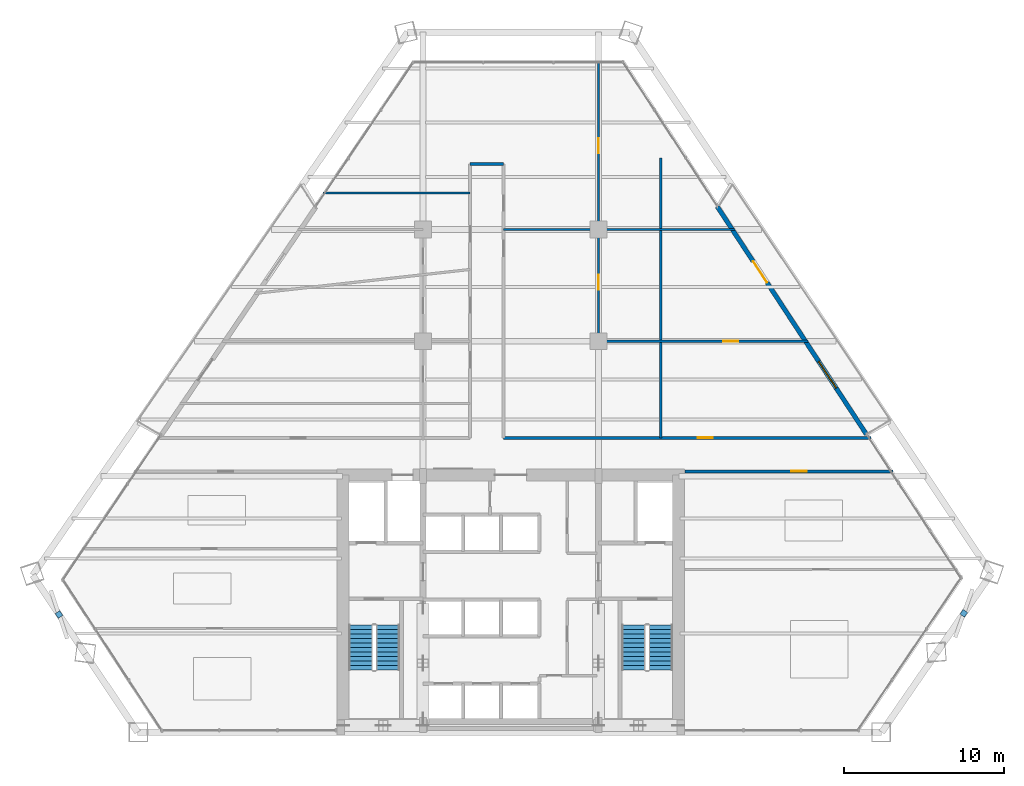
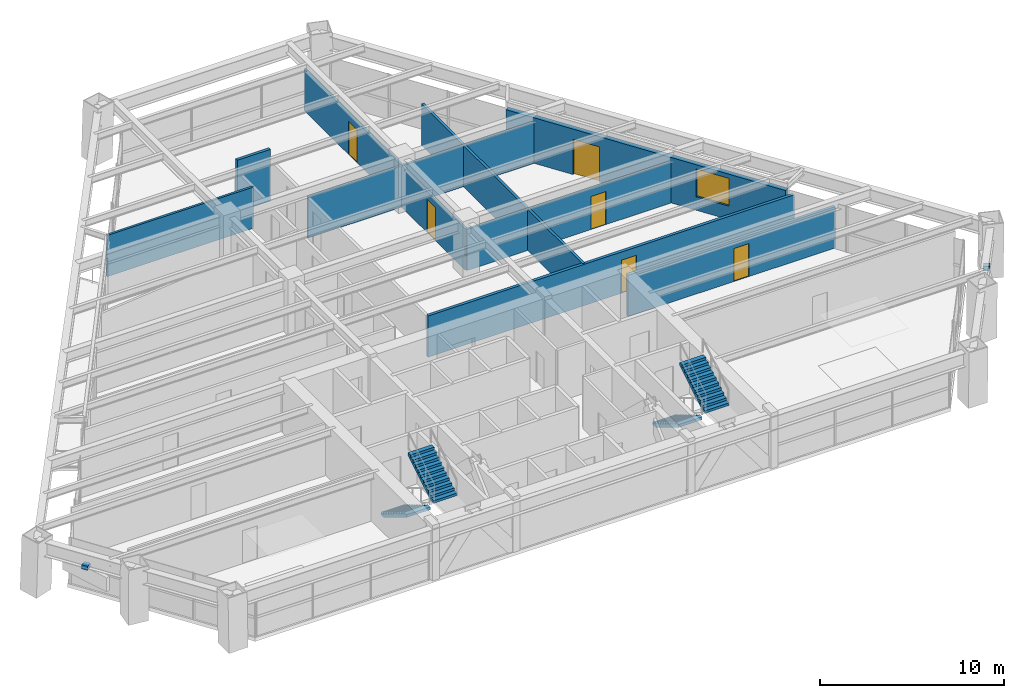
# One storey, part 12 of 14: 9 walls, 6 doors, 4 stair flights, 2 discrete accessories, 1 window, 7 openings, 2 elements without a shape of their own.
"""IFC4 building model written with IfcOpenShell, lengths in metres."""

from ifc_helpers import new_model, si_unit, direction, frame, frame_2d, origin, origin_2d, place, context, subcontext, project, spatial, polyline, rectangle, outline, extrude, source, transform, mapped, material, layer, layer_set, type_object, type_shapes, element, fill, aggregate, save


model = new_model("IFC4")

# Units and contexts
model_context = context("Model", 3, precision=1e-05, world=origin(), true_north=direction((0.0, 1.0)))
body_context = subcontext(model_context, "Body", "Model", "MODEL_VIEW")
ifc_project = project(units=[si_unit("LENGTHUNIT", "METRE"), si_unit("AREAUNIT", "SQUARE_METRE"), si_unit("VOLUMEUNIT", "CUBIC_METRE"), si_unit("PLANEANGLEUNIT", "RADIAN"), si_unit("MASSUNIT", "GRAM", prefix="KILO")], contexts=[model_context])

# Site, building, storey
site_placement = place(None, origin())
site = spatial("IfcSite", under=ifc_project, at=site_placement, CompositionType="ELEMENT")
building_placement = place(site_placement, origin())
building = spatial("IfcBuilding", under=site, at=building_placement, Name="Varnakhor Terracotta Tower", CompositionType="ELEMENT")
storey_placement = place(building_placement, frame((0.0, 0.0, 76.60009765625)))
storey = spatial("IfcBuildingStorey", under=building, at=storey_placement, Name="L18", CompositionType="ELEMENT", Elevation=76.60009765625)

# Wall, opening, door
ifc_material_1 = material(Name="Fire-Rated Gypsum Stud Partition", Category="gypsum")
ifc_layer_1 = layer(ifc_material_1, 0.18505859375, Name="Fire-Rated Gypsum Stud Partition")
ifc_layer_set_1 = layer_set([ifc_layer_1], Name="Fire-Rated Gypsum Stud Partition")
wall_type_1 = type_object("IfcWallType", Name="WAL-CORR-185", PredefinedType="PARTITIONING", material=ifc_layer_set_1)
wall_1_placement = place(storey_placement, frame((10.919921875, 16.35009765625, 0.0), z_axis=(0.0, 0.0, 1.0), x_axis=(1.0, 0.0, 0.0)))
wall_1 = element("IfcWall", 1, at=wall_1_placement, inside=storey, type_object=wall_type_1, Name="L18 South East Corridor Wall", PredefinedType="PARTITIONING", context=body_context, shape_type="SweptSolid", body=[
    extrude(rectangle(XDim=13.044921875, YDim=0.18505859375, at=frame_2d((6.5224609375, 0.0))), origin(), (0.0, 0.0, 1.0), 2.746826171875),
])
opening_1_placement = place(wall_1_placement, frame((6.665771484375, 0.0, 0.0)))
opening_1 = element("IfcOpeningElement", 2, at=opening_1_placement, cuts=wall_1, Name="Opening DR-94", PredefinedType="OPENING", context=body_context, shape_type="SweptSolid", body=[
    extrude(rectangle(XDim=0.949951171875, YDim=2.199951171875, at=frame_2d((0.47509765625, 1.10009765625))), frame((0.0, 0.1025390625, 0.0), z_axis=(0.0, -1.0, 0.0), x_axis=(1.0, 0.0, 0.0)), (0.0, 0.0, 1.0), 0.205078125),
])
ifc_material_2 = material(Name="Acoustic Glazed-Vision Timber Office Door", Category="wood")
door_type_1 = type_object("IfcDoorType", Name="DR-OFF-950X2200", OperationType="NOTDEFINED", PredefinedType="DOOR", material=ifc_material_2)
shared_shape_1 = source(origin(), body_context, "Body", "SweptSolid", [
    extrude(rectangle(XDim=0.949951171875, YDim=2.199951171875, at=frame_2d((0.47509765625, 1.10009765625))), frame((0.0, 0.02490234375, 0.0), z_axis=(0.0, -1.0, 0.0), x_axis=(1.0, 0.0, 0.0)), (0.0, 0.0, 1.0), 0.050048828125),
])
type_shapes(door_type_1, [shared_shape_1])
door_1_placement = place(opening_1_placement, origin())
door_1 = element("IfcDoor", 3, at=door_1_placement, inside=storey, type_object=door_type_1, Name="L18 SE Suite Door", OperationType="SINGLE_SWING_RIGHT", OverallHeight=2.199951171875, OverallWidth=0.949951171875, PredefinedType="DOOR", context=body_context, shape_type="MappedRepresentation", body=[
    mapped(shared_shape_1, transform((0.0, 0.0, 0.0), scale=1.0)),
])
fill(opening_1, door_1)

wall_2_placement = place(storey_placement, frame((-0.449951171875, 18.449951171875, 0.0), z_axis=(0.0, 0.0, 1.0), x_axis=(1.0, 0.0, 0.0)))
wall_2 = element("IfcWall", 4, at=wall_2_placement, inside=storey, type_object=wall_type_1, Name="L18 Corridor North East Wall", PredefinedType="PARTITIONING", context=body_context, shape_type="SweptSolid", body=[
    extrude(rectangle(XDim=23.03955078125, YDim=0.18505859375, at=frame_2d((11.519775390625, 0.0))), origin(), (0.0, 0.0, 1.0), 2.746826171875),
])
opening_2_placement = place(wall_2_placement, frame((12.162841796875, 0.0, 0.0)))
opening_2 = element("IfcOpeningElement", 5, at=opening_2_placement, cuts=wall_2, Name="Opening DR-94", PredefinedType="OPENING", context=body_context, shape_type="SweptSolid", body=[
    extrude(rectangle(XDim=0.949951171875, YDim=2.199951171875, at=frame_2d((0.47509765625, 1.10009765625))), frame((0.0, 0.1025390625, 0.0), z_axis=(0.0, -1.0, 0.0), x_axis=(1.0, 0.0, 0.0)), (0.0, 0.0, 1.0), 0.205078125),
])
door_2_placement = place(opening_2_placement, origin())
door_2 = element("IfcDoor", 6, at=door_2_placement, inside=storey, type_object=door_type_1, Name="L18 East Workplace Door", OperationType="SINGLE_SWING_RIGHT", OverallHeight=2.199951171875, OverallWidth=0.949951171875, PredefinedType="DOOR", context=body_context, shape_type="MappedRepresentation", body=[
    mapped(shared_shape_1, transform((0.0, 0.0, 0.0), scale=1.0)),
])
fill(opening_2, door_2)

# Wall
wall_3_placement = place(storey_placement, frame((-2.550048828125, 35.60009765625, 0.0), z_axis=(0.0, 0.0, 1.0), x_axis=(1.0, 0.0, 0.0)))
element("IfcWall", 7, at=wall_3_placement, inside=storey, type_object=wall_type_1, Name="L18 Spine North End Wall", PredefinedType="PARTITIONING", context=body_context, shape_type="SweptSolid", body=[
    extrude(rectangle(XDim=2.10009765625, YDim=0.18505859375, at=frame_2d((1.050048828125, 0.0))), origin(), (0.0, 0.0, 1.0), 3.44189453125),
])

# Wall, openings, door, window
ifc_material_3 = material(Name="Extruded Architectural Terracotta Assembly", Category="masonry")
ifc_layer_2 = layer(ifc_material_3, 0.280029296875, Name="Extruded Architectural Terracotta Assembly")
ifc_layer_set_2 = layer_set([ifc_layer_2], Name="Extruded Architectural Terracotta Assembly")
wall_type_2 = type_object("IfcWallType", Name="WAL-EXT-TERRACOTTA-280", PredefinedType="SOLIDWALL", material=ifc_layer_set_2)
wall_4_placement = place(storey_placement, frame((12.942626953125, 32.943359375, 0.0), z_axis=(0.0, 0.0, 1.0), x_axis=(0.547860918782, -0.836569431471, 0.0)))
wall_4 = element("IfcWall", 8, at=wall_4_placement, inside=storey, type_object=wall_type_2, Name="L18 E Loggia Insulated Terracotta Wall", PredefinedType="SOLIDWALL", context=body_context, shape_type="SweptSolid", body=[
    extrude(rectangle(XDim=17.065673828125, YDim=0.280029296875, at=frame_2d((8.53271484375, 0.0))), origin(), (0.0, 0.0, 1.0), 3.02978515625),
])
opening_3_placement = place(wall_4_placement, frame((4.095703125, 0.0, 0.0)))
opening_3 = element("IfcOpeningElement", 9, at=opening_3_placement, cuts=wall_4, Name="Opening DR-62", PredefinedType="OPENING", context=body_context, shape_type="SweptSolid", body=[
    extrude(rectangle(XDim=1.60009765625, YDim=2.35009765625, at=frame_2d((0.800048828125, 1.175048828125))), frame((0.0, 0.14990234375, 0.0), z_axis=(0.0, -1.0, 0.0), x_axis=(1.0, 0.0, 0.0)), (0.0, 0.0, 1.0), 0.300048828125),
])
opening_4_placement = place(wall_4_placement, frame((11.6044921875, 0.0, 0.89990234375)))
opening_4 = element("IfcOpeningElement", 10, at=opening_4_placement, cuts=wall_4, Name="Opening WN-26", PredefinedType="OPENING", context=body_context, shape_type="SweptSolid", body=[
    extrude(rectangle(XDim=2.0, YDim=1.85009765625, at=frame_2d((1.0, 0.925048828125))), frame((0.0, 0.14990234375, 0.0), z_axis=(0.0, -1.0, 0.0), x_axis=(1.0, 0.0, 0.0)), (0.0, 0.0, 1.0), 0.300048828125),
])
ifc_material_4 = material(Name="Thermally Broken Sliding Glass Loggia Door", Category="glass")
door_type_2 = type_object("IfcDoorType", Name="DR-EXT-LOGGIA-1600X2350", OperationType="NOTDEFINED", PredefinedType="DOOR", material=ifc_material_4)
shared_shape_2 = source(origin(), body_context, "Body", "SweptSolid", [
    extrude(rectangle(XDim=1.60009765625, YDim=2.35009765625, at=frame_2d((0.800048828125, 1.175048828125))), frame((0.0, 0.02490234375, 0.0), z_axis=(0.0, -1.0, 0.0), x_axis=(1.0, 0.0, 0.0)), (0.0, 0.0, 1.0), 0.050048828125),
])
type_shapes(door_type_2, [shared_shape_2])
door_3_placement = place(opening_3_placement, origin())
door_3 = element("IfcDoor", 11, at=door_3_placement, inside=storey, type_object=door_type_2, Name="L18 E Recessed Loggia Sliding Door", OperationType="SLIDING_TO_RIGHT", OverallHeight=2.35009765625, OverallWidth=1.60009765625, PredefinedType="DOOR", context=body_context, shape_type="MappedRepresentation", body=[
    mapped(shared_shape_2, transform((0.0, 0.0, 0.0), scale=1.0)),
])
fill(opening_3, door_3)
ifc_material_5 = material(Name="Solar-Control Low-E Insulated Glass Unit", Category="glass")
window_type = type_object("IfcWindowType", Name="WIN-OFF-2200X2100", PartitioningType="SINGLE_PANEL", PredefinedType="WINDOW", material=ifc_material_5)
shared_shape_3 = source(origin(), body_context, "Body", "SweptSolid", [
    extrude(rectangle(XDim=2.0, YDim=1.85009765625, at=frame_2d((1.0, 0.925048828125))), frame((0.0, 0.030029296875, 0.0), z_axis=(0.0, -1.0, 0.0), x_axis=(1.0, 0.0, 0.0)), (0.0, 0.0, 1.0), 0.06005859375),
])
type_shapes(window_type, [shared_shape_3])
window_placement = place(opening_4_placement, origin())
window = element("IfcWindow", 12, at=window_placement, inside=storey, type_object=window_type, Name="L18 E Facet Punched Window", OverallHeight=1.85009765625, OverallWidth=2.0, PartitioningType="SINGLE_PANEL", PredefinedType="WINDOW", context=body_context, shape_type="MappedRepresentation", body=[
    mapped(shared_shape_3, transform((0.0, 0.0, 0.0), scale=1.0)),
])
fill(opening_4, window)

# Wall, openings, doors
ifc_material_6 = material(Name="Acoustic Metal-Stud Partition", Category="gypsum")
ifc_layer_3 = layer(ifc_material_6, 0.139892578125, Name="Acoustic Metal-Stud Partition")
ifc_layer_set_3 = layer_set([ifc_layer_3], Name="Acoustic Metal-Stud Partition")
wall_type_3 = type_object("IfcWallType", Name="WAL-PART-140", PredefinedType="PARTITIONING", material=ifc_layer_set_3)
wall_5_placement = place(storey_placement, frame((5.5, 24.5, 0.0), z_axis=(0.0, 0.0, 1.0), x_axis=(0.0, 1.0, 0.0)))
wall_5 = element("IfcWall", 13, at=wall_5_placement, inside=storey, type_object=wall_type_3, Name="L18 East Column Line Wall", PredefinedType="PARTITIONING", context=body_context, shape_type="SweptSolid", body=[
    extrude(rectangle(XDim=17.59521484375, YDim=0.139892578125, at=frame_2d((8.797607421875, 0.0))), origin(), (0.0, 0.0, 1.0), 2.746826171875),
])
opening_5_placement = place(wall_5_placement, frame((3.229736328125, 0.0, 0.0)))
opening_5 = element("IfcOpeningElement", 14, at=opening_5_placement, cuts=wall_5, Name="Opening DR-94", PredefinedType="OPENING", context=body_context, shape_type="SweptSolid", body=[
    extrude(rectangle(XDim=0.949951171875, YDim=2.199951171875, at=frame_2d((0.47509765625, 1.10009765625))), frame((0.0, 0.080078125, 0.0), z_axis=(0.0, -1.0, 0.0), x_axis=(1.0, 0.0, 0.0)), (0.0, 0.0, 1.0), 0.159912109375),
])
opening_6_placement = place(wall_5_placement, frame((11.787353515625, 0.0, 0.0)))
opening_6 = element("IfcOpeningElement", 15, at=opening_6_placement, cuts=wall_5, Name="Opening DR-94", PredefinedType="OPENING", context=body_context, shape_type="SweptSolid", body=[
    extrude(rectangle(XDim=0.949951171875, YDim=2.199951171875, at=frame_2d((0.47509765625, 1.10009765625))), frame((0.0, 0.080078125, 0.0), z_axis=(0.0, -1.0, 0.0), x_axis=(1.0, 0.0, 0.0)), (0.0, 0.0, 1.0), 0.159912109375),
])
door_4_placement = place(opening_5_placement, origin())
door_4 = element("IfcDoor", 16, at=door_4_placement, inside=storey, type_object=door_type_1, Name="L18 Focus Office B15 Door", OperationType="SINGLE_SWING_RIGHT", OverallHeight=2.199951171875, OverallWidth=0.949951171875, PredefinedType="DOOR", context=body_context, shape_type="MappedRepresentation", body=[
    mapped(shared_shape_1, transform((0.0, 0.0, 0.0), scale=1.0)),
])
fill(opening_5, door_4)
door_5_placement = place(opening_6_placement, origin())
door_5 = element("IfcDoor", 17, at=door_5_placement, inside=storey, type_object=door_type_1, Name="L18 Reception Lounge Door", OperationType="SINGLE_SWING_RIGHT", OverallHeight=2.199951171875, OverallWidth=0.949951171875, PredefinedType="DOOR", context=body_context, shape_type="MappedRepresentation", body=[
    mapped(shared_shape_1, transform((0.0, 0.0, 0.0), scale=1.0)),
])
fill(opening_6, door_5)

# Wall, opening, door
wall_6_placement = place(storey_placement, frame((5.5, 24.5, 0.0), z_axis=(0.0, 0.0, 1.0), x_axis=(1.0, 0.0, 0.0)))
wall_6 = element("IfcWall", 18, at=wall_6_placement, inside=storey, type_object=wall_type_3, Name="L18 Mid East Column Wall", PredefinedType="PARTITIONING", context=body_context, shape_type="SweptSolid", body=[
    extrude(rectangle(XDim=13.127685546875, YDim=0.139892578125, at=frame_2d((6.56396484375, 0.0))), origin(), (0.0, 0.0, 1.0), 2.746826171875),
])
opening_7_placement = place(wall_6_placement, frame((7.80322265625, 0.0, 0.0)))
opening_7 = element("IfcOpeningElement", 19, at=opening_7_placement, cuts=wall_6, Name="Opening DR-94", PredefinedType="OPENING", context=body_context, shape_type="SweptSolid", body=[
    extrude(rectangle(XDim=0.949951171875, YDim=2.199951171875, at=frame_2d((0.47509765625, 1.10009765625))), frame((0.0, 0.080078125, 0.0), z_axis=(0.0, -1.0, 0.0), x_axis=(1.0, 0.0, 0.0)), (0.0, 0.0, 1.0), 0.159912109375),
])
door_6_placement = place(opening_7_placement, origin())
door_6 = element("IfcDoor", 20, at=door_6_placement, inside=storey, type_object=door_type_1, Name="L18 Staff Dining Room Door", OperationType="SINGLE_SWING_LEFT", OverallHeight=2.199951171875, OverallWidth=0.949951171875, PredefinedType="DOOR", context=body_context, shape_type="MappedRepresentation", body=[
    mapped(shared_shape_1, transform((0.0, 0.0, 0.0), scale=1.0)),
])
fill(opening_7, door_6)

# Walls
wall_7_placement = place(storey_placement, frame((-11.773681640625, 33.800048828125, 0.0), z_axis=(0.0, 0.0, 1.0), x_axis=(1.0, 0.0, 0.0)))
element("IfcWall", 21, at=wall_7_placement, inside=storey, type_object=wall_type_3, Name="L18 West Wing Cut 4", PredefinedType="PARTITIONING", context=body_context, shape_type="SweptSolid", body=[
    extrude(rectangle(XDim=9.2236328125, YDim=0.139892578125, at=frame_2d((4.61181640625, 0.0))), origin(), (0.0, 0.0, 1.0), 2.746826171875),
])
wall_8_placement = place(storey_placement, frame((-0.449951171875, 31.5, 0.0), z_axis=(0.0, 0.0, 1.0), x_axis=(1.0, 0.0, 0.0)))
element("IfcWall", 22, at=wall_8_placement, inside=storey, type_object=wall_type_3, Name="L18 East Wing Cut 1", PredefinedType="PARTITIONING", context=body_context, shape_type="SweptSolid", body=[
    extrude(rectangle(XDim=14.4931640625, YDim=0.139892578125, at=frame_2d((7.24658203125, 0.0))), origin(), (0.0, 0.0, 1.0), 2.746826171875),
])
ifc_material_7 = material(Name="Acoustic Fire-Rated Partition", Category="gypsum")
ifc_layer_4 = layer(ifc_material_7, 0.1650390625, Name="Acoustic Fire-Rated Partition")
ifc_layer_set_4 = layer_set([ifc_layer_4], Name="Acoustic Fire-Rated Partition")
wall_type_4 = type_object("IfcWallType", Name="WAL-TENANCY-165", PredefinedType="PARTITIONING", material=ifc_layer_set_4)
wall_9_placement = place(storey_placement, frame((9.39990234375, 18.449951171875, 0.0), z_axis=(0.0, 0.0, 1.0), x_axis=(0.0, 1.0, 0.0)))
element("IfcWall", 23, at=wall_9_placement, inside=storey, type_object=wall_type_4, Name="L18 East Cellular Line", PredefinedType="PARTITIONING", context=body_context, shape_type="SweptSolid", body=[
    extrude(rectangle(XDim=17.550048828125, YDim=0.1650390625, at=frame_2d((8.77490234375, 0.0))), origin(), (0.0, 0.0, 1.0), 2.746826171875),
])

# Stair, stair flights
ifc_material_8 = material(Name="Concrete C40/50", Category="concrete")
stair_type = type_object("IfcStairType", Name="STR-CORE-OFFICE-1500", PredefinedType="HALF_TURN_STAIR", material=ifc_material_8)
stair_1_placement = place(storey_placement, origin())
stair_1 = element("IfcStair", 24, at=stair_1_placement, inside=storey, type_object=stair_type, Name="L18 Core Exit Stair ST-1", PredefinedType="HALF_TURN_STAIR")
stair_flight_type = type_object("IfcStairFlightType", Name="FLT-CORE-1500", PredefinedType="STRAIGHT", material=ifc_material_8)
stair_flight_1_placement = place(storey_placement, frame((-9.39990234375, 6.7099609375, 0.0), z_axis=(0.0, 0.0, 1.0), x_axis=(0.0, -1.0, 0.0)))
stair_flight_1 = element("IfcStairFlight", 25, at=stair_flight_1_placement, type_object=stair_flight_type, Name="ST-1 flight 1", NumberOfRisers=11, NumberOfTreads=10, PredefinedType="STRAIGHT", RiserHeight=0.168181818, TreadLength=0.28, context=body_context, shape_type="SweptSolid", body=[
    extrude(outline(polyline([(0.0, 0.0), (0.0, 0.168212890625), (0.280029296875, 0.168212890625), (0.280029296875, 0.33642578125), (0.56005859375, 0.33642578125), (0.56005859375, 0.504638671875), (0.840087890625, 0.504638671875), (0.840087890625, 0.672607421875), (1.1201171875, 0.672607421875), (1.1201171875, 0.8408203125), (1.39990234375, 0.8408203125), (1.39990234375, 1.009033203125), (1.679931640625, 1.009033203125), (1.679931640625, 1.17724609375), (1.9599609375, 1.17724609375), (1.9599609375, 1.345458984375), (2.239990234375, 1.345458984375), (2.239990234375, 1.513671875), (2.52001953125, 1.513671875), (2.52001953125, 1.681884765625), (2.800048828125, 1.681884765625), (2.800048828125, 1.85009765625), (2.800048828125, 1.495361328125), (0.310546875, 0.0), (0.0, 0.0)])), frame((0.0, 0.75, 0.0), z_axis=(0.0, -1.0, 0.0), x_axis=(1.0, 0.0, 0.0)), (0.0, 0.0, 1.0), 1.5),
])
stair_flight_2_placement = place(storey_placement, frame((-7.699951171875, 3.909912109375, 1.849853515625), z_axis=(0.0, 0.0, 1.0), x_axis=(0.0, 1.0, 0.0)))
stair_flight_2 = element("IfcStairFlight", 26, at=stair_flight_2_placement, type_object=stair_flight_type, Name="ST-1 flight 2", NumberOfRisers=11, NumberOfTreads=10, PredefinedType="STRAIGHT", RiserHeight=0.168181818, TreadLength=0.28, context=body_context, shape_type="SweptSolid", body=[
    extrude(outline(polyline([(0.0, 0.0), (0.0, 0.168212890625), (0.280029296875, 0.168212890625), (0.280029296875, 0.33642578125), (0.56005859375, 0.33642578125), (0.56005859375, 0.504638671875), (0.840087890625, 0.504638671875), (0.840087890625, 0.672607421875), (1.1201171875, 0.672607421875), (1.1201171875, 0.8408203125), (1.39990234375, 0.8408203125), (1.39990234375, 1.009033203125), (1.679931640625, 1.009033203125), (1.679931640625, 1.17724609375), (1.9599609375, 1.17724609375), (1.9599609375, 1.345458984375), (2.239990234375, 1.345458984375), (2.239990234375, 1.513671875), (2.52001953125, 1.513671875), (2.52001953125, 1.681884765625), (2.800048828125, 1.681884765625), (2.800048828125, 1.85009765625), (2.800048828125, 1.495361328125), (0.310546875, 0.0), (0.0, 0.0)])), frame((0.0, 0.75, 0.0), z_axis=(0.0, -1.0, 0.0), x_axis=(1.0, 0.0, 0.0)), (0.0, 0.0, 1.0), 1.5),
])
aggregate(stair_1, [stair_flight_1, stair_flight_2])

stair_2_placement = place(storey_placement, origin())
stair_2 = element("IfcStair", 27, at=stair_2_placement, inside=storey, type_object=stair_type, Name="L18 Core Exit Stair ST-2", PredefinedType="HALF_TURN_STAIR")
stair_flight_3_placement = place(storey_placement, frame((7.699951171875, 6.7099609375, 0.0), z_axis=(0.0, 0.0, 1.0), x_axis=(0.0, -1.0, 0.0)))
stair_flight_3 = element("IfcStairFlight", 28, at=stair_flight_3_placement, type_object=stair_flight_type, Name="ST-2 flight 1", NumberOfRisers=11, NumberOfTreads=10, PredefinedType="STRAIGHT", RiserHeight=0.168181818, TreadLength=0.28, context=body_context, shape_type="SweptSolid", body=[
    extrude(outline(polyline([(0.0, 0.0), (0.0, 0.168212890625), (0.280029296875, 0.168212890625), (0.280029296875, 0.33642578125), (0.56005859375, 0.33642578125), (0.56005859375, 0.504638671875), (0.840087890625, 0.504638671875), (0.840087890625, 0.672607421875), (1.1201171875, 0.672607421875), (1.1201171875, 0.8408203125), (1.39990234375, 0.8408203125), (1.39990234375, 1.009033203125), (1.679931640625, 1.009033203125), (1.679931640625, 1.17724609375), (1.9599609375, 1.17724609375), (1.9599609375, 1.345458984375), (2.239990234375, 1.345458984375), (2.239990234375, 1.513671875), (2.52001953125, 1.513671875), (2.52001953125, 1.681884765625), (2.800048828125, 1.681884765625), (2.800048828125, 1.85009765625), (2.800048828125, 1.495361328125), (0.310546875, 0.0), (0.0, 0.0)])), frame((0.0, 0.75, 0.0), z_axis=(0.0, -1.0, 0.0), x_axis=(1.0, 0.0, 0.0)), (0.0, 0.0, 1.0), 1.5),
])
stair_flight_4_placement = place(storey_placement, frame((9.39990234375, 3.909912109375, 1.849853515625), z_axis=(0.0, 0.0, 1.0), x_axis=(0.0, 1.0, 0.0)))
stair_flight_4 = element("IfcStairFlight", 29, at=stair_flight_4_placement, type_object=stair_flight_type, Name="ST-2 flight 2", NumberOfRisers=11, NumberOfTreads=10, PredefinedType="STRAIGHT", RiserHeight=0.168181818, TreadLength=0.28, context=body_context, shape_type="SweptSolid", body=[
    extrude(outline(polyline([(0.0, 0.0), (0.0, 0.168212890625), (0.280029296875, 0.168212890625), (0.280029296875, 0.33642578125), (0.56005859375, 0.33642578125), (0.56005859375, 0.504638671875), (0.840087890625, 0.504638671875), (0.840087890625, 0.672607421875), (1.1201171875, 0.672607421875), (1.1201171875, 0.8408203125), (1.39990234375, 0.8408203125), (1.39990234375, 1.009033203125), (1.679931640625, 1.009033203125), (1.679931640625, 1.17724609375), (1.9599609375, 1.17724609375), (1.9599609375, 1.345458984375), (2.239990234375, 1.345458984375), (2.239990234375, 1.513671875), (2.52001953125, 1.513671875), (2.52001953125, 1.681884765625), (2.800048828125, 1.681884765625), (2.800048828125, 1.85009765625), (2.800048828125, 1.495361328125), (0.310546875, 0.0), (0.0, 0.0)])), frame((0.0, 0.75, 0.0), z_axis=(0.0, -1.0, 0.0), x_axis=(1.0, 0.0, 0.0)), (0.0, 0.0, 1.0), 1.5),
])
aggregate(stair_2, [stair_flight_3, stair_flight_4])

# Discrete accessories
ifc_material_9 = material(Name="Stainless Steel Fixing Bracket", Category="steel")
discrete_accessory_type = type_object("IfcDiscreteAccessoryType", Name="BRACKET-TERRACOTTA-SCREEN", PredefinedType="BRACKET", material=ifc_material_9)
shared_shape_4 = source(origin(), body_context, "Body", "SweptSolid", [
    extrude(rectangle(XDim=0.35009765625, YDim=0.35009765625, at=origin_2d()), origin(), (0.0, 0.0, 1.0), 0.280029296875),
])
type_shapes(discrete_accessory_type, [shared_shape_4])
for number, where, z_axis, x_axis, name in (
    (30, (28.39501953125, 7.453125, 2.39306640625), (0.0, 0.0, 1.0), (0.568174127408, 0.822908355131, 0.0), "L18 E Screen Fixing Bracket"),
    (31, (-28.311279296875, 7.37939453125, 2.39306640625), (0.0, 0.0, 1.0), (0.555425105735, -0.831566564936, 0.0), "L18 W Screen Fixing Bracket"),
):
    element("IfcDiscreteAccessory", number, at=place(storey_placement, frame(where, z_axis=z_axis, x_axis=x_axis)), inside=storey, type_object=discrete_accessory_type, Name=name, PredefinedType="BRACKET", context=body_context, shape_type="MappedRepresentation", body=[
        mapped(shared_shape_4, transform((0.0, 0.0, 0.0), scale=1.0)),
    ])

save(model, "model.ifc")
